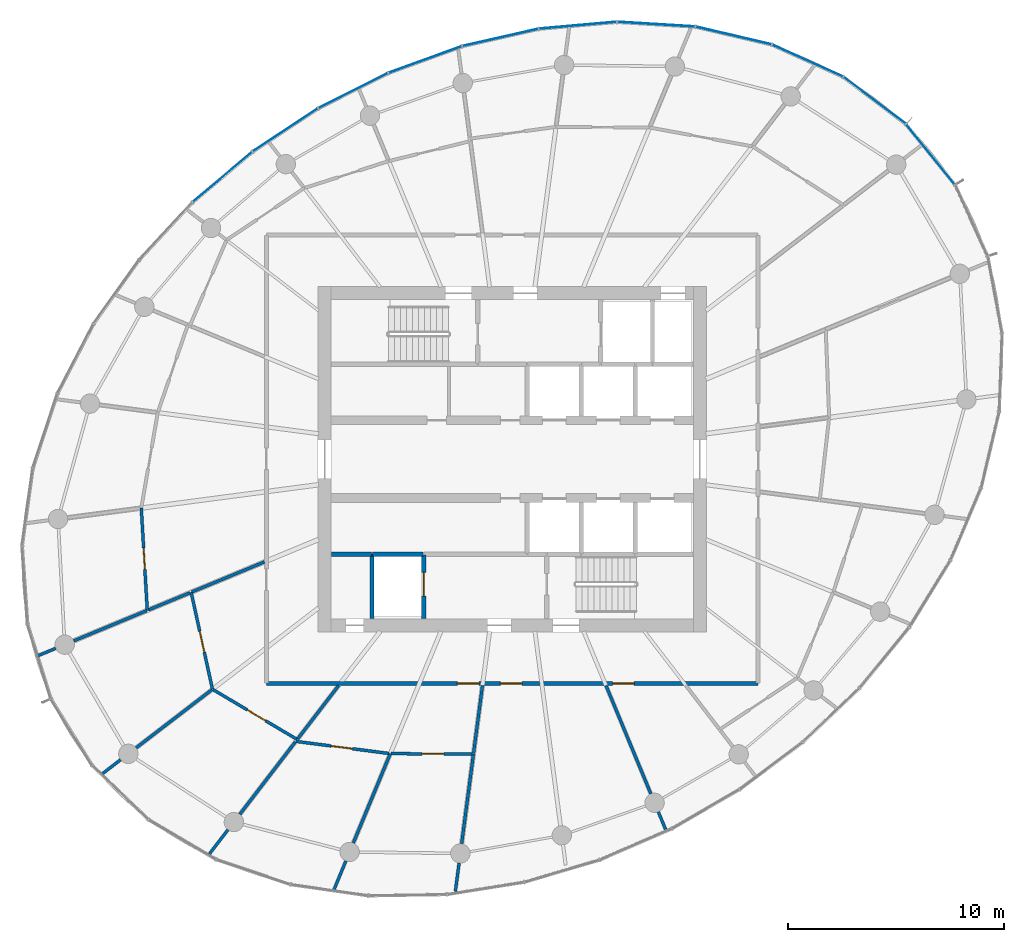
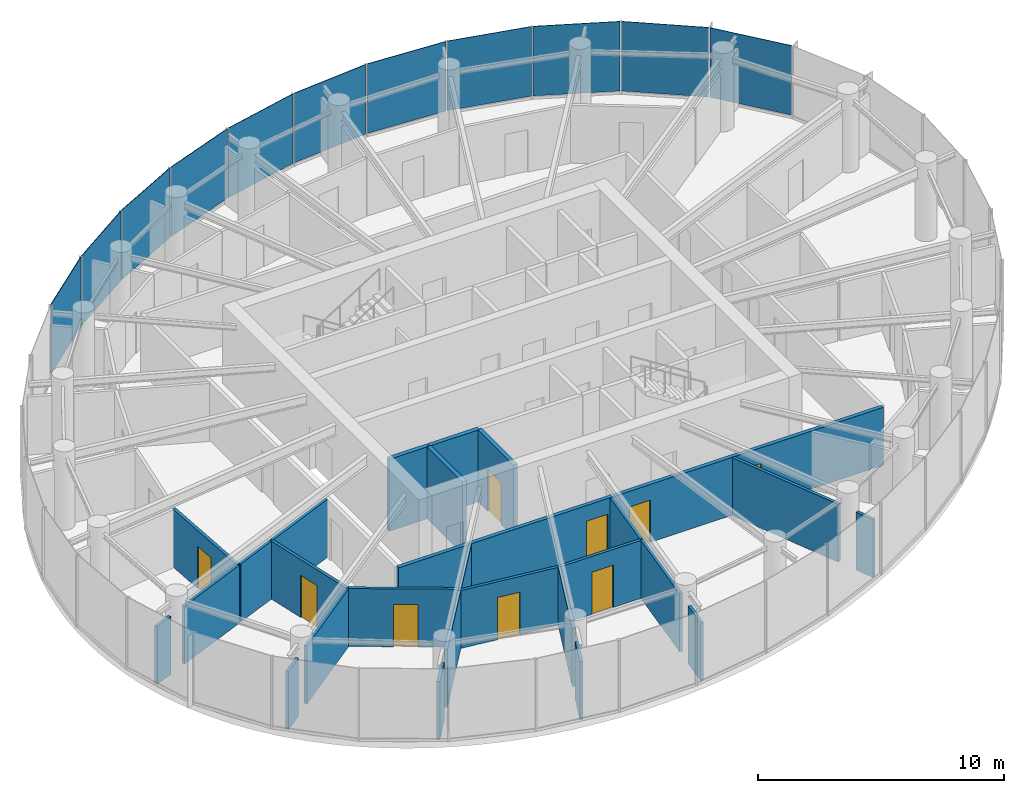
# One storey, part 9 of 15: 26 walls, 11 plates, 9 doors, 9 openings, 2 elements without a shape of their own.
"""IFC4 building model written with IfcOpenShell, lengths in metres."""

from ifc_helpers import new_model, si_unit, direction, frame, frame_2d, origin, origin_2d, place, context, subcontext, project, spatial, rectangle, extrude, source, transform, mapped, material, layer, layer_set, type_object, element, fill, aggregate, save


model = new_model("IFC4")

# Units and contexts
model_context = context("Model", 3, precision=1e-05, world=origin(), true_north=direction((0.0, 1.0)))
body_context = subcontext(model_context, "Body", "Model", "MODEL_VIEW")
ifc_project = project(units=[si_unit("LENGTHUNIT", "METRE"), si_unit("AREAUNIT", "SQUARE_METRE"), si_unit("VOLUMEUNIT", "CUBIC_METRE"), si_unit("PLANEANGLEUNIT", "RADIAN"), si_unit("MASSUNIT", "GRAM", prefix="KILO")], contexts=[model_context])

# Site, building, storey
site_placement = place(None, origin())
site = spatial("IfcSite", under=ifc_project, at=site_placement, CompositionType="ELEMENT")
building_placement = place(site_placement, origin())
building = spatial("IfcBuilding", under=site, at=building_placement, Name="Spindrift Exchange Tower", CompositionType="ELEMENT")
storey_placement = place(building_placement, frame((0.0, 0.0, 199.39990234375)))
storey = spatial("IfcBuildingStorey", under=building, at=storey_placement, Name="L48", CompositionType="ELEMENT", Elevation=199.39990234375)

# Curtain wall, plates
ifc_material_1 = material(Name="Fritted laminated glass with bronze frame", Category="glass")
ifc_layer_1 = layer(ifc_material_1, 0.169921875)
ifc_layer_set_1 = layer_set([ifc_layer_1], Name="ZONE 4 BRONZE FRITTED WALL")
curtain_wall_type = type_object("IfcCurtainWallType", Name="ZONE 4 BRONZE FRITTED WALL", PredefinedType="NOTDEFINED", material=ifc_layer_set_1)
curtain_wall_1_placement = place(storey_placement, origin())
curtain_wall_1 = element("IfcCurtainWall", 1, at=curtain_wall_1_placement, inside=storey, type_object=curtain_wall_type, Name="L48 Zone 4 Bronze Fritted Wall run 2", PredefinedType="NOTDEFINED")
ifc_material_2 = material(Name="Bronze fritted laminated glass, open frit", Category="glass")
ifc_layer_2 = layer(ifc_material_2, 0.030029296875)
ifc_layer_set_2 = layer_set([ifc_layer_2], Name="ZONE 4 BRONZE FRITTED WALL PANEL OPEN FRIT 360")
plate_type_1 = type_object("IfcPlateType", Name="ZONE 4 BRONZE FRITTED WALL PANEL OPEN FRIT 360", PredefinedType="CURTAIN_PANEL", material=ifc_layer_set_2)
shared_shape_1 = source(origin(), body_context, "Body", "SweptSolid", [
    extrude(rectangle(XDim=3.57763671875, YDim=0.030029296875, at=origin_2d()), origin(), (0.0, 0.0, 1.0), 3.455078125),
])
plate_1_placement = place(storey_placement, frame((47.96240234375, 66.531005859375, 0.125), z_axis=(0.0, 0.0, 1.0), x_axis=(-0.940007404874, -0.341154039668, 0.0)))
plate_1 = element("IfcPlate", 2, at=plate_1_placement, type_object=plate_type_1, Name="L48 panel CW-4.8", PredefinedType="CURTAIN_PANEL", context=body_context, shape_type="MappedRepresentation", body=[
    mapped(shared_shape_1, transform((0.0, 0.0, 0.0), scale=1.0)),
])
plate_2_placement = place(storey_placement, frame((38.565185546875, 61.08837890625, 0.125), z_axis=(0.0, 0.0, 1.0), x_axis=(-0.764402893577, -0.6447388745, 0.0)))
plate_2 = element("IfcPlate", 3, at=plate_2_placement, type_object=plate_type_1, Name="L48 panel CW-4.11", PredefinedType="CURTAIN_PANEL", context=body_context, shape_type="MappedRepresentation", body=[
    mapped(shared_shape_1, transform((0.0, 0.0, 0.0), scale=1.0)),
])
ifc_layer_3 = layer(ifc_material_2, 0.030029296875)
ifc_layer_set_3 = layer_set([ifc_layer_3], Name="ZONE 4 BRONZE FRITTED WALL PANEL OPEN FRIT 480")
plate_type_2 = type_object("IfcPlateType", Name="ZONE 4 BRONZE FRITTED WALL PANEL OPEN FRIT 480", PredefinedType="CURTAIN_PANEL", material=ifc_layer_set_3)
shared_shape_2 = source(origin(), body_context, "Body", "SweptSolid", [
    extrude(rectangle(XDim=3.577880859375, YDim=0.030029296875, at=origin_2d()), origin(), (0.0, 0.0, 1.0), 3.455078125),
])
plate_3_placement = place(storey_placement, frame((41.4775390625, 63.26611328125, 0.125), z_axis=(0.0, 0.0, 1.0), x_axis=(-0.834554710099, -0.55092507281, 0.0)))
plate_3 = element("IfcPlate", 4, at=plate_3_placement, type_object=plate_type_2, Name="L48 panel CW-4.10", PredefinedType="CURTAIN_PANEL", context=body_context, shape_type="MappedRepresentation", body=[
    mapped(shared_shape_2, transform((0.0, 0.0, 0.0), scale=1.0)),
])
ifc_layer_4 = layer(ifc_material_2, 0.030029296875)
ifc_layer_set_4 = layer_set([ifc_layer_4], Name="ZONE 4 BRONZE FRITTED WALL PANEL OPEN FRIT 600")
plate_type_3 = type_object("IfcPlateType", Name="ZONE 4 BRONZE FRITTED WALL PANEL OPEN FRIT 600", PredefinedType="CURTAIN_PANEL", material=ifc_layer_set_4)
shared_shape_3 = source(origin(), body_context, "Body", "SweptSolid", [
    extrude(rectangle(XDim=3.577880859375, YDim=0.030029296875, at=origin_2d()), origin(), (0.0, 0.0, 1.0), 3.455078125),
])
plate_4_placement = place(storey_placement, frame((44.6240234375, 65.089599609375, 0.125), z_axis=(0.0, 0.0, 1.0), x_axis=(-0.892901158654, -0.450252730003, 0.0)))
plate_4 = element("IfcPlate", 5, at=plate_4_placement, type_object=plate_type_3, Name="L48 panel CW-4.9", PredefinedType="CURTAIN_PANEL", context=body_context, shape_type="MappedRepresentation", body=[
    mapped(shared_shape_3, transform((0.0, 0.0, 0.0), scale=1.0)),
])

curtain_wall_2_placement = place(storey_placement, origin())
curtain_wall_2 = element("IfcCurtainWall", 6, at=curtain_wall_2_placement, inside=storey, type_object=curtain_wall_type, Name="L48 Zone 4 Bronze Fritted Wall run 1", PredefinedType="NOTDEFINED")
shared_shape_4 = source(origin(), body_context, "Body", "SweptSolid", [
    extrude(rectangle(XDim=3.571533203125, YDim=0.030029296875, at=origin_2d()), origin(), (0.0, 0.0, 1.0), 3.455078125),
])
plate_5_placement = place(storey_placement, frame((68.80029296875, 64.63720703125, 0.125), z_axis=(0.0, 0.0, 1.0), x_axis=(-0.798747885214, 0.601665867293, 0.0)))
plate_5 = element("IfcPlate", 7, at=plate_5_placement, type_object=plate_type_2, Name="L48 panel CW-4.2", PredefinedType="CURTAIN_PANEL", context=body_context, shape_type="MappedRepresentation", body=[
    mapped(shared_shape_4, transform((0.0, 0.0, 0.0), scale=1.0)),
])
shared_shape_5 = source(origin(), body_context, "Body", "SweptSolid", [
    extrude(rectangle(XDim=3.574951171875, YDim=0.030029296875, at=origin_2d()), origin(), (0.0, 0.0, 1.0), 3.455078125),
])
plate_6_placement = place(storey_placement, frame((62.260498046875, 67.64404296875, 0.125), z_axis=(0.0, 0.0, 1.0), x_axis=(-0.973634670452, 0.228112973093, 0.0)))
plate_6 = element("IfcPlate", 8, at=plate_6_placement, type_object=plate_type_1, Name="L48 panel CW-4.4", PredefinedType="CURTAIN_PANEL", context=body_context, shape_type="MappedRepresentation", body=[
    mapped(shared_shape_5, transform((0.0, 0.0, 0.0), scale=1.0)),
])

# Plate
shared_shape_6 = source(origin(), body_context, "Body", "SweptSolid", [
    extrude(rectangle(XDim=3.577392578125, YDim=0.030029296875, at=origin_2d()), origin(), (0.0, 0.0, 1.0), 3.455078125),
])
plate_7_placement = place(storey_placement, frame((51.450439453125, 67.555908203125, 0.125), z_axis=(0.0, 0.0, 1.0), x_axis=(-0.975172935958, -0.221444677006, 0.0)))
plate_7 = element("IfcPlate", 9, at=plate_7_placement, type_object=plate_type_1, Name="L48 panel CW-4.7", PredefinedType="CURTAIN_PANEL", context=body_context, shape_type="MappedRepresentation", body=[
    mapped(shared_shape_6, transform((0.0, 0.0, 0.0), scale=1.0)),
])

aggregate(curtain_wall_1, [plate_7, plate_1, plate_4, plate_3, plate_2])

shared_shape_7 = source(origin(), body_context, "Body", "SweptSolid", [
    extrude(rectangle(XDim=3.576904296875, YDim=0.030029296875, at=origin_2d()), origin(), (0.0, 0.0, 1.0), 3.455078125),
])
plate_8_placement = place(storey_placement, frame((55.040283203125, 68.1201171875, 0.125), z_axis=(0.0, 0.0, 1.0), x_axis=(-0.996088399201, -0.088362327814, 0.0)))
plate_8 = element("IfcPlate", 10, at=plate_8_placement, type_object=plate_type_2, Name="L48 panel CW-4.6", PredefinedType="CURTAIN_PANEL", context=body_context, shape_type="MappedRepresentation", body=[
    mapped(shared_shape_7, transform((0.0, 0.0, 0.0), scale=1.0)),
])

shared_shape_8 = source(origin(), body_context, "Body", "SweptSolid", [
    extrude(rectangle(XDim=3.5703125, YDim=0.030029296875, at=origin_2d()), origin(), (0.0, 0.0, 1.0), 3.455078125),
])
plate_9_placement = place(storey_placement, frame((71.397216796875, 62.131103515625, 0.125), z_axis=(0.0, 0.0, 1.0), x_axis=(-0.629607899587, 0.776913053551, 0.0)))
plate_9 = element("IfcPlate", 11, at=plate_9_placement, type_object=plate_type_2, Name="L48 panel CW-4.1", PredefinedType="CURTAIN_PANEL", context=body_context, shape_type="MappedRepresentation", body=[
    mapped(shared_shape_8, transform((0.0, 0.0, 0.0), scale=1.0)),
])

shared_shape_9 = source(origin(), body_context, "Body", "SweptSolid", [
    extrude(rectangle(XDim=3.575927734375, YDim=0.030029296875, at=origin_2d()), origin(), (0.0, 0.0, 1.0), 3.455078125),
])
plate_10_placement = place(storey_placement, frame((58.67138671875, 68.170166015625, 0.125), z_axis=(0.0, 0.0, 1.0), x_axis=(-0.998146181845, 0.060862136568, 0.0)))
plate_10 = element("IfcPlate", 12, at=plate_10_placement, type_object=plate_type_3, Name="L48 panel CW-4.5", PredefinedType="CURTAIN_PANEL", context=body_context, shape_type="MappedRepresentation", body=[
    mapped(shared_shape_9, transform((0.0, 0.0, 0.0), scale=1.0)),
])

shared_shape_10 = source(origin(), body_context, "Body", "SweptSolid", [
    extrude(rectangle(XDim=3.573486328125, YDim=0.030029296875, at=origin_2d()), origin(), (0.0, 0.0, 1.0), 3.455078125),
])
plate_11_placement = place(storey_placement, frame((65.690185546875, 66.480224609375, 0.125), z_axis=(0.0, 0.0, 1.0), x_axis=(-0.911345809508, 0.411641610497, 0.0)))
plate_11 = element("IfcPlate", 13, at=plate_11_placement, type_object=plate_type_1, Name="L48 panel CW-4.3", PredefinedType="CURTAIN_PANEL", context=body_context, shape_type="MappedRepresentation", body=[
    mapped(shared_shape_10, transform((0.0, 0.0, 0.0), scale=1.0)),
])

aggregate(curtain_wall_2, [plate_9, plate_5, plate_11, plate_6, plate_10, plate_8])

# Wall, openings, doors
ifc_material_3 = material(Name="Fire-rated plasterboard partition", Category="gypsum")
ifc_layer_5 = layer(ifc_material_3, 0.179931640625)
ifc_layer_set_5 = layer_set([ifc_layer_5], Name="W-CORR-180")
wall_type_1 = type_object("IfcWallType", Name="W-CORR-180", PredefinedType="PARTITIONING", material=ifc_layer_set_5)
wall_1_placement = place(storey_placement, frame((63.39990234375, 37.60009765625, 0.0), z_axis=(0.0, 0.0, 1.0), x_axis=(-1.0, 0.0, 0.0)))
wall_1 = element("IfcWall", 14, at=wall_1_placement, inside=storey, type_object=wall_type_1, Name="L48 Partition wall 28", PredefinedType="PARTITIONING", context=body_context, shape_type="SweptSolid", body=[
    extrude(rectangle(XDim=22.7998046875, YDim=0.179931640625, at=frame_2d((11.39990234375, 0.0))), origin(), (0.0, 0.0, 1.0), 2.880126953125),
])
opening_1_placement = place(wall_1_placement, frame((12.949951171875, 0.0, 0.0)))
opening_1 = element("IfcOpeningElement", 15, at=opening_1_placement, cuts=wall_1, Name="Opening L48-D40", PredefinedType="OPENING", context=body_context, shape_type="SweptSolid", body=[
    extrude(rectangle(XDim=1.0, YDim=2.10009765625, at=frame_2d((0.5, 1.050048828125))), frame((0.0, 0.099853515625, 0.0), z_axis=(0.0, -1.0, 0.0), x_axis=(1.0, 0.0, 0.0)), (0.0, 0.0, 1.0), 0.199951171875),
])
opening_2_placement = place(wall_1_placement, frame((10.949951171875, 0.0, 0.0)))
opening_2 = element("IfcOpeningElement", 16, at=opening_2_placement, cuts=wall_1, Name="Opening L48-D43", PredefinedType="OPENING", context=body_context, shape_type="SweptSolid", body=[
    extrude(rectangle(XDim=1.0, YDim=2.10009765625, at=frame_2d((0.5, 1.050048828125))), frame((0.0, 0.099853515625, 0.0), z_axis=(0.0, -1.0, 0.0), x_axis=(1.0, 0.0, 0.0)), (0.0, 0.0, 1.0), 0.199951171875),
])
opening_3_placement = place(wall_1_placement, frame((5.75, 0.0, 0.0)))
opening_3 = element("IfcOpeningElement", 17, at=opening_3_placement, cuts=wall_1, Name="Opening L48-D44", PredefinedType="OPENING", context=body_context, shape_type="SweptSolid", body=[
    extrude(rectangle(XDim=1.0, YDim=2.10009765625, at=frame_2d((0.5, 1.050048828125))), frame((0.0, 0.099853515625, 0.0), z_axis=(0.0, -1.0, 0.0), x_axis=(1.0, 0.0, 0.0)), (0.0, 0.0, 1.0), 0.199951171875),
])
ifc_material_4 = material(Name="Timber-core fire door", Category="wood")
door_type_1 = type_object("IfcDoorType", Name="DR-ROOM-1000", OperationType="NOTDEFINED", PredefinedType="DOOR", material=ifc_material_4)
shared_shape_11 = source(origin(), body_context, "Body", "SweptSolid", [
    extrude(rectangle(XDim=1.0, YDim=2.10009765625, at=frame_2d((0.5, 1.050048828125))), frame((0.0, 0.02490234375, 0.0), z_axis=(0.0, -1.0, 0.0), x_axis=(1.0, 0.0, 0.0)), (0.0, 0.0, 1.0), 0.050048828125),
])
door_1_placement = place(opening_1_placement, origin())
door_1 = element("IfcDoor", 18, at=door_1_placement, inside=storey, type_object=door_type_1, Name="L48 Door 40", OperationType="SINGLE_SWING_RIGHT", OverallHeight=2.10009765625, OverallWidth=1.0, PredefinedType="DOOR", context=body_context, shape_type="MappedRepresentation", body=[
    mapped(shared_shape_11, transform((0.0, 0.0, 0.0), scale=1.0)),
])
fill(opening_1, door_1)
door_2_placement = place(opening_2_placement, origin())
door_2 = element("IfcDoor", 19, at=door_2_placement, inside=storey, type_object=door_type_1, Name="L48 Door 43", OperationType="SINGLE_SWING_LEFT", OverallHeight=2.10009765625, OverallWidth=1.0, PredefinedType="DOOR", context=body_context, shape_type="MappedRepresentation", body=[
    mapped(shared_shape_11, transform((0.0, 0.0, 0.0), scale=1.0)),
])
fill(opening_2, door_2)
door_3_placement = place(opening_3_placement, origin())
door_3 = element("IfcDoor", 20, at=door_3_placement, inside=storey, type_object=door_type_1, Name="L48 Door 44", OperationType="SINGLE_SWING_RIGHT", OverallHeight=2.10009765625, OverallWidth=1.0, PredefinedType="DOOR", context=body_context, shape_type="MappedRepresentation", body=[
    mapped(shared_shape_11, transform((0.0, 0.0, 0.0), scale=1.0)),
])
fill(opening_3, door_3)

# Wall
ifc_layer_6 = layer(ifc_material_3, 0.139892578125)
ifc_layer_set_6 = layer_set([ifc_layer_6], Name="W-PART-140")
wall_type_2 = type_object("IfcWallType", Name="W-PART-140", PredefinedType="PARTITIONING", material=ifc_layer_set_6)
wall_2_placement = place(storey_placement, frame((56.34521484375, 37.510009765625, 0.0), z_axis=(0.0, 0.0, 1.0), x_axis=(0.382655972885, -0.923890906122, 0.0)))
element("IfcWall", 21, at=wall_2_placement, inside=storey, type_object=wall_type_2, Name="L48 Partition wall 32", PredefinedType="PARTITIONING", context=body_context, shape_type="SweptSolid", body=[
    extrude(rectangle(XDim=5.4345703125, YDim=0.139892578125, at=frame_2d((2.71728515625, 0.0))), origin(), (0.0, 0.0, 1.0), 2.880126953125),
])

# Wall, opening, door
wall_3_placement = place(storey_placement, frame((35.076904296875, 40.990234375, 0.0), z_axis=(0.0, 0.0, 1.0), x_axis=(-0.058604596276, 0.998281273638, 0.0)))
wall_3 = element("IfcWall", 22, at=wall_3_placement, inside=storey, type_object=wall_type_2, Name="L48 Partition wall 36", PredefinedType="PARTITIONING", context=body_context, shape_type="SweptSolid", body=[
    extrude(rectangle(XDim=4.753173828125, YDim=0.139892578125, at=frame_2d((2.37646484375, 0.0))), origin(), (0.0, 0.0, 1.0), 2.880126953125),
])
opening_4_placement = place(wall_3_placement, frame((1.9033203125, 0.0, 0.0)))
opening_4 = element("IfcOpeningElement", 23, at=opening_4_placement, cuts=wall_3, Name="Opening L48-D36", PredefinedType="OPENING", context=body_context, shape_type="SweptSolid", body=[
    extrude(rectangle(XDim=1.0, YDim=2.10009765625, at=frame_2d((0.5, 1.050048828125))), frame((0.0, 0.079833984375, 0.0), z_axis=(0.0, -1.0, 0.0), x_axis=(1.0, 0.0, 0.0)), (0.0, 0.0, 1.0), 0.159912109375),
])
door_4_placement = place(opening_4_placement, origin())
door_4 = element("IfcDoor", 24, at=door_4_placement, inside=storey, type_object=door_type_1, Name="L48 Door 36", OperationType="SINGLE_SWING_RIGHT", OverallHeight=2.10009765625, OverallWidth=1.0, PredefinedType="DOOR", context=body_context, shape_type="MappedRepresentation", body=[
    mapped(shared_shape_11, transform((0.0, 0.0, 0.0), scale=1.0)),
])
fill(opening_4, door_4)

wall_4_placement = place(storey_placement, frame((38.098876953125, 37.333251953125, 0.0), z_axis=(0.0, 0.0, 1.0), x_axis=(-0.214477585578, 0.976728910847, 0.0)))
wall_4 = element("IfcWall", 25, at=wall_4_placement, inside=storey, type_object=wall_type_2, Name="L48 Partition wall 37", PredefinedType="PARTITIONING", context=body_context, shape_type="SweptSolid", body=[
    extrude(rectangle(XDim=4.606689453125, YDim=0.139892578125, at=frame_2d((2.30322265625, 0.0))), origin(), (0.0, 0.0, 1.0), 2.880126953125),
])
opening_5_placement = place(wall_4_placement, frame((1.756591796875, 0.0, 0.0)))
opening_5 = element("IfcOpeningElement", 26, at=opening_5_placement, cuts=wall_4, Name="Opening L48-D38", PredefinedType="OPENING", context=body_context, shape_type="SweptSolid", body=[
    extrude(rectangle(XDim=1.0, YDim=2.10009765625, at=frame_2d((0.5, 1.050048828125))), frame((0.0, 0.079833984375, 0.0), z_axis=(0.0, -1.0, 0.0), x_axis=(1.0, 0.0, 0.0)), (0.0, 0.0, 1.0), 0.159912109375),
])
door_5_placement = place(opening_5_placement, origin())
door_5 = element("IfcDoor", 27, at=door_5_placement, inside=storey, type_object=door_type_1, Name="L48 Door 38", OperationType="SINGLE_SWING_RIGHT", OverallHeight=2.10009765625, OverallWidth=1.0, PredefinedType="DOOR", context=body_context, shape_type="MappedRepresentation", body=[
    mapped(shared_shape_11, transform((0.0, 0.0, 0.0), scale=1.0)),
])
fill(opening_5, door_5)

wall_5_placement = place(storey_placement, frame((42.028564453125, 35.005126953125, 0.0), z_axis=(0.0, 0.0, 1.0), x_axis=(-0.860328238393, 0.509740445937, 0.0)))
wall_5 = element("IfcWall", 28, at=wall_5_placement, inside=storey, type_object=wall_type_2, Name="L48 Partition wall 38", PredefinedType="PARTITIONING", context=body_context, shape_type="SweptSolid", body=[
    extrude(rectangle(XDim=4.53759765625, YDim=0.139892578125, at=frame_2d((2.268798828125, 0.0))), origin(), (0.0, 0.0, 1.0), 2.880126953125),
])
opening_6_placement = place(wall_5_placement, frame((1.687744140625, 0.0, 0.0)))
opening_6 = element("IfcOpeningElement", 29, at=opening_6_placement, cuts=wall_5, Name="Opening L48-D39", PredefinedType="OPENING", context=body_context, shape_type="SweptSolid", body=[
    extrude(rectangle(XDim=1.0, YDim=2.10009765625, at=frame_2d((0.5, 1.050048828125))), frame((0.0, 0.079833984375, 0.0), z_axis=(0.0, -1.0, 0.0), x_axis=(1.0, 0.0, 0.0)), (0.0, 0.0, 1.0), 0.159912109375),
])
door_6_placement = place(opening_6_placement, origin())
door_6 = element("IfcDoor", 30, at=door_6_placement, inside=storey, type_object=door_type_1, Name="L48 Door 39", OperationType="SINGLE_SWING_LEFT", OverallHeight=2.10009765625, OverallWidth=1.0, PredefinedType="DOOR", context=body_context, shape_type="MappedRepresentation", body=[
    mapped(shared_shape_11, transform((0.0, 0.0, 0.0), scale=1.0)),
])
fill(opening_6, door_6)

# Walls
wall_6_placement = place(storey_placement, frame((46.34521484375, 34.34814453125, 0.0), z_axis=(0.0, 0.0, 1.0), x_axis=(-0.382698450862, -0.923873311503, 0.0)))
element("IfcWall", 31, at=wall_6_placement, inside=storey, type_object=wall_type_2, Name="L48 Partition wall 40", PredefinedType="PARTITIONING", context=body_context, shape_type="SweptSolid", body=[
    extrude(rectangle(XDim=4.478271484375, YDim=0.139892578125, at=frame_2d((2.2392578125, 0.0))), origin(), (0.0, 0.0, 1.0), 2.880126953125),
])
wall_7_placement = place(storey_placement, frame((38.0751953125, 37.31494140625, 0.0), z_axis=(0.0, 0.0, 1.0), x_axis=(-0.793368713958, -0.608741393132, 0.0)))
element("IfcWall", 32, at=wall_7_placement, inside=storey, type_object=wall_type_2, Name="L48 Partition wall 41", PredefinedType="PARTITIONING", context=body_context, shape_type="SweptSolid", body=[
    extrude(rectangle(XDim=4.432373046875, YDim=0.139892578125, at=frame_2d((2.21630859375, 0.0))), origin(), (0.0, 0.0, 1.0), 2.880126953125),
])

# Wall, opening, door
wall_8_placement = place(storey_placement, frame((46.273193359375, 34.357421875, 0.0), z_axis=(0.0, 0.0, 1.0), x_axis=(-0.991661359213, 0.128871054326, 0.0)))
wall_8 = element("IfcWall", 33, at=wall_8_placement, inside=storey, type_object=wall_type_2, Name="L48 Partition wall 42", PredefinedType="PARTITIONING", context=body_context, shape_type="SweptSolid", body=[
    extrude(rectangle(XDim=4.34765625, YDim=0.139892578125, at=frame_2d((2.173828125, 0.0))), origin(), (0.0, 0.0, 1.0), 2.880126953125),
])
opening_7_placement = place(wall_8_placement, frame((1.697998046875, 0.0, 0.0)))
opening_7 = element("IfcOpeningElement", 34, at=opening_7_placement, cuts=wall_8, Name="Opening L48-D41", PredefinedType="OPENING", context=body_context, shape_type="SweptSolid", body=[
    extrude(rectangle(XDim=1.0, YDim=2.10009765625, at=frame_2d((0.5, 1.050048828125))), frame((0.0, 0.079833984375, 0.0), z_axis=(0.0, -1.0, 0.0), x_axis=(1.0, 0.0, 0.0)), (0.0, 0.0, 1.0), 0.159912109375),
])
door_7_placement = place(opening_7_placement, origin())
door_7 = element("IfcDoor", 35, at=door_7_placement, inside=storey, type_object=door_type_1, Name="L48 Door 41", OperationType="SINGLE_SWING_LEFT", OverallHeight=2.10009765625, OverallWidth=1.0, PredefinedType="DOOR", context=body_context, shape_type="MappedRepresentation", body=[
    mapped(shared_shape_11, transform((0.0, 0.0, 0.0), scale=1.0)),
])
fill(opening_7, door_7)

# Walls
wall_9_placement = place(storey_placement, frame((41.943603515625, 34.89404296875, 0.0), z_axis=(0.0, 0.0, 1.0), x_axis=(-0.608790069617, -0.793331362758, 0.0)))
element("IfcWall", 36, at=wall_9_placement, inside=storey, type_object=wall_type_2, Name="L48 Partition wall 50", PredefinedType="PARTITIONING", context=body_context, shape_type="SweptSolid", body=[
    extrude(rectangle(XDim=4.230712890625, YDim=0.139892578125, at=frame_2d((2.115234375, 0.0))), origin(), (0.0, 0.0, 1.0), 2.880126953125),
])
wall_10_placement = place(storey_placement, frame((50.2001953125, 34.32861328125, 0.0), z_axis=(0.0, 0.0, 1.0), x_axis=(-0.13056900495, -0.991439224031, 0.0)))
element("IfcWall", 37, at=wall_10_placement, inside=storey, type_object=wall_type_2, Name="L48 Partition wall 52", PredefinedType="PARTITIONING", context=body_context, shape_type="SweptSolid", body=[
    extrude(rectangle(XDim=4.192138671875, YDim=0.139892578125, at=frame_2d((2.09619140625, 0.0))), origin(), (0.0, 0.0, 1.0), 2.880126953125),
])

# Wall, opening, door
wall_11_placement = place(storey_placement, frame((50.129638671875, 34.3291015625, 0.0), z_axis=(0.0, 0.0, 1.0), x_axis=(-0.999987464445, 0.005007090308, 0.0)))
wall_11 = element("IfcWall", 38, at=wall_11_placement, inside=storey, type_object=wall_type_2, Name="L48 Partition wall 57", PredefinedType="PARTITIONING", context=body_context, shape_type="SweptSolid", body=[
    extrude(rectangle(XDim=3.75439453125, YDim=0.139892578125, at=frame_2d((1.877197265625, 0.0))), origin(), (0.0, 0.0, 1.0), 2.880126953125),
])
opening_8_placement = place(wall_11_placement, frame((1.304443359375, 0.0, 0.0)))
opening_8 = element("IfcOpeningElement", 39, at=opening_8_placement, cuts=wall_11, Name="Opening L48-D42", PredefinedType="OPENING", context=body_context, shape_type="SweptSolid", body=[
    extrude(rectangle(XDim=1.0, YDim=2.10009765625, at=frame_2d((0.5, 1.050048828125))), frame((0.0, 0.079833984375, 0.0), z_axis=(0.0, -1.0, 0.0), x_axis=(1.0, 0.0, 0.0)), (0.0, 0.0, 1.0), 0.159912109375),
])
door_8_placement = place(opening_8_placement, origin())
door_8 = element("IfcDoor", 40, at=door_8_placement, inside=storey, type_object=door_type_1, Name="L48 Door 42", OperationType="SINGLE_SWING_RIGHT", OverallHeight=2.10009765625, OverallWidth=1.0, PredefinedType="DOOR", context=body_context, shape_type="MappedRepresentation", body=[
    mapped(shared_shape_11, transform((0.0, 0.0, 0.0), scale=1.0)),
])
fill(opening_8, door_8)

# Walls
wall_12_placement = place(storey_placement, frame((40.510009765625, 43.24072265625, 0.0), z_axis=(0.0, 0.0, 1.0), x_axis=(-0.923876577678, -0.382690565886, 0.0)))
element("IfcWall", 41, at=wall_12_placement, inside=storey, type_object=wall_type_2, Name="L48 Partition wall 60", PredefinedType="PARTITIONING", context=body_context, shape_type="SweptSolid", body=[
    extrude(rectangle(XDim=3.649169921875, YDim=0.139892578125, at=frame_2d((1.82470703125, 0.0))), origin(), (0.0, 0.0, 1.0), 2.880126953125),
])
wall_13_placement = place(storey_placement, frame((35.04931640625, 40.978759765625, 0.0), z_axis=(0.0, 0.0, 1.0), x_axis=(-0.923881901713, -0.382677712555, 0.0)))
element("IfcWall", 42, at=wall_13_placement, inside=storey, type_object=wall_type_2, Name="L48 Partition wall 61", PredefinedType="PARTITIONING", context=body_context, shape_type="SweptSolid", body=[
    extrude(rectangle(XDim=3.66064453125, YDim=0.139892578125, at=frame_2d((1.830322265625, 0.0))), origin(), (0.0, 0.0, 1.0), 2.880126953125),
])
wall_14_placement = place(storey_placement, frame((50.618896484375, 37.510009765625, 0.0), z_axis=(0.0, 0.0, 1.0), x_axis=(-0.130488286991, -0.991449850955, 0.0)))
element("IfcWall", 43, at=wall_14_placement, inside=storey, type_object=wall_type_2, Name="L48 Partition wall 64", PredefinedType="PARTITIONING", context=body_context, shape_type="SweptSolid", body=[
    extrude(rectangle(XDim=3.1787109375, YDim=0.139892578125, at=frame_2d((1.58935546875, 0.0))), origin(), (0.0, 0.0, 1.0), 2.880126953125),
])
wall_15_placement = place(storey_placement, frame((43.95068359375, 37.510009765625, 0.0), z_axis=(0.0, 0.0, 1.0), x_axis=(-0.60874451787, -0.793366316378, 0.0)))
element("IfcWall", 44, at=wall_15_placement, inside=storey, type_object=wall_type_2, Name="L48 Partition wall 65", PredefinedType="PARTITIONING", context=body_context, shape_type="SweptSolid", body=[
    extrude(rectangle(XDim=3.12744140625, YDim=0.139892578125, at=frame_2d((1.563720703125, 0.0))), origin(), (0.0, 0.0, 1.0), 2.880126953125),
])
wall_16_placement = place(storey_placement, frame((37.045166015625, 41.805419921875, 0.0), z_axis=(0.0, 0.0, 1.0), x_axis=(-0.92387935321, -0.382683865235, 0.0)))
element("IfcWall", 45, at=wall_16_placement, inside=storey, type_object=wall_type_2, Name="L48 Partition wall 75", PredefinedType="PARTITIONING", context=body_context, shape_type="SweptSolid", body=[
    extrude(rectangle(XDim=2.05615234375, YDim=0.139892578125, at=frame_2d((1.028076171875, 0.0))), origin(), (0.0, 0.0, 1.0), 2.880126953125),
])
wall_17_placement = place(storey_placement, frame((44.283203125, 29.369873046875, 0.0), z_axis=(0.0, 0.0, 1.0), x_axis=(-0.382652525483, -0.923892333955, 0.0)))
element("IfcWall", 46, at=wall_17_placement, inside=storey, type_object=wall_type_2, Name="L48 Partition wall 82", PredefinedType="PARTITIONING", context=body_context, shape_type="SweptSolid", body=[
    extrude(rectangle(XDim=1.457763671875, YDim=0.139892578125, at=frame_2d((0.72900390625, 0.0))), origin(), (0.0, 0.0, 1.0), 2.880126953125),
])
wall_18_placement = place(storey_placement, frame((38.814453125, 30.81640625, 0.0), z_axis=(0.0, 0.0, 1.0), x_axis=(-0.608686646562, -0.793410717281, 0.0)))
element("IfcWall", 47, at=wall_18_placement, inside=storey, type_object=wall_type_2, Name="L48 Partition wall 83", PredefinedType="PARTITIONING", context=body_context, shape_type="SweptSolid", body=[
    extrude(rectangle(XDim=1.40625, YDim=0.139892578125, at=frame_2d((0.703125, 0.0))), origin(), (0.0, 0.0, 1.0), 2.880126953125),
])
wall_19_placement = place(storey_placement, frame((49.5341796875, 29.27099609375, 0.0), z_axis=(0.0, 0.0, 1.0), x_axis=(-0.13056005306, -0.991440402921, 0.0)))
element("IfcWall", 48, at=wall_19_placement, inside=storey, type_object=wall_type_2, Name="L48 Partition wall 85", PredefinedType="PARTITIONING", context=body_context, shape_type="SweptSolid", body=[
    extrude(rectangle(XDim=1.31640625, YDim=0.139892578125, at=frame_2d((0.658203125, 0.0))), origin(), (0.0, 0.0, 1.0), 2.880126953125),
])
wall_20_placement = place(storey_placement, frame((33.83740234375, 34.063232421875, 0.0), z_axis=(0.0, 0.0, 1.0), x_axis=(-0.793452471415, -0.608632217029, 0.0)))
element("IfcWall", 49, at=wall_20_placement, inside=storey, type_object=wall_type_2, Name="L48 Partition wall 88", PredefinedType="PARTITIONING", context=body_context, shape_type="SweptSolid", body=[
    extrude(rectangle(XDim=1.072509765625, YDim=0.139892578125, at=frame_2d((0.5361328125, 0.0))), origin(), (0.0, 0.0, 1.0), 2.880126953125),
])
wall_21_placement = place(storey_placement, frame((30.826416015625, 39.229736328125, 0.0), z_axis=(0.0, 0.0, 1.0), x_axis=(-0.923854619105, -0.382743573112, 0.0)))
element("IfcWall", 50, at=wall_21_placement, inside=storey, type_object=wall_type_2, Name="L48 Partition wall 98", PredefinedType="PARTITIONING", context=body_context, shape_type="SweptSolid", body=[
    extrude(rectangle(XDim=0.917236328125, YDim=0.139892578125, at=frame_2d((0.45849609375, 0.0))), origin(), (0.0, 0.0, 1.0), 2.880126953125),
])
wall_22_placement = place(storey_placement, frame((58.773193359375, 31.648193359375, 0.0), z_axis=(0.0, 0.0, 1.0), x_axis=(0.382672260774, -0.923884159857, 0.0)))
element("IfcWall", 51, at=wall_22_placement, inside=storey, type_object=wall_type_2, Name="L48 Partition wall 102", PredefinedType="PARTITIONING", context=body_context, shape_type="SweptSolid", body=[
    extrude(rectangle(XDim=0.874755859375, YDim=0.139892578125, at=frame_2d((0.4375, 0.0))), origin(), (0.0, 0.0, 1.0), 2.880126953125),
])
ifc_material_5 = material(Name="Concrete 40 MPa", Category="concrete")
ifc_layer_7 = layer(ifc_material_5, 0.199951171875)
ifc_layer_set_7 = layer_set([ifc_layer_7], Name="W-SHAFT-200")
wall_type_3 = type_object("IfcWallType", Name="W-SHAFT-200", PredefinedType="SOLIDWALL", material=ifc_layer_set_7)
wall_23_placement = place(storey_placement, frame((45.5, 43.60009765625, 0.0), z_axis=(0.0, 0.0, 1.0), x_axis=(0.0, -1.0, 0.0)))
element("IfcWall", 52, at=wall_23_placement, inside=storey, type_object=wall_type_3, Name="L48 Shaft wall 3", PredefinedType="SOLIDWALL", context=body_context, shape_type="SweptSolid", body=[
    extrude(rectangle(XDim=2.97998046875, YDim=0.199951171875, at=frame_2d((1.489990234375, 0.0))), origin(), (0.0, 0.0, 1.0), 3.580078125),
])

# Wall, opening, door
wall_24_placement = place(storey_placement, frame((47.89990234375, 40.6201171875, 0.0), z_axis=(0.0, 0.0, 1.0), x_axis=(0.0, 1.0, 0.0)))
wall_24 = element("IfcWall", 53, at=wall_24_placement, inside=storey, type_object=wall_type_3, Name="L48 Shaft wall 4", PredefinedType="SOLIDWALL", context=body_context, shape_type="SweptSolid", body=[
    extrude(rectangle(XDim=2.949951171875, YDim=0.199951171875, at=frame_2d((1.47509765625, 0.0))), origin(), (0.0, 0.0, 1.0), 3.580078125),
])
opening_9_placement = place(wall_24_placement, frame((1.030029296875, 0.0, 0.0)))
opening_9 = element("IfcOpeningElement", 54, at=opening_9_placement, cuts=wall_24, Name="Opening L48-D10", PredefinedType="OPENING", context=body_context, shape_type="SweptSolid", body=[
    extrude(rectangle(XDim=1.10009765625, YDim=2.10009765625, at=frame_2d((0.550048828125, 1.050048828125))), frame((0.0, 0.10986328125, 0.0), z_axis=(0.0, -1.0, 0.0), x_axis=(1.0, 0.0, 0.0)), (0.0, 0.0, 1.0), 0.219970703125),
])
ifc_material_6 = material(Name="Stainless steel landing door", Category="steel")
door_type_2 = type_object("IfcDoorType", Name="DR-LANDING-1100-SL", OperationType="DOUBLE_DOOR_SLIDING", PredefinedType="USERDEFINED", material=ifc_material_6)
shared_shape_12 = source(origin(), body_context, "Body", "SweptSolid", [
    extrude(rectangle(XDim=1.10009765625, YDim=2.10009765625, at=frame_2d((0.550048828125, 1.050048828125))), frame((0.0, 0.02490234375, 0.0), z_axis=(0.0, -1.0, 0.0), x_axis=(1.0, 0.0, 0.0)), (0.0, 0.0, 1.0), 0.050048828125),
])
door_9_placement = place(opening_9_placement, origin())
door_9 = element("IfcDoor", 55, at=door_9_placement, inside=storey, type_object=door_type_2, Name="L48 Lift landing door 10", ObjectType="LANDING DOOR", OperationType="DOUBLE_DOOR_SLIDING", OverallHeight=2.10009765625, OverallWidth=1.10009765625, PredefinedType="USERDEFINED", context=body_context, shape_type="MappedRepresentation", body=[
    mapped(shared_shape_12, transform((0.0, 0.0, 0.0), scale=1.0)),
])
fill(opening_9, door_9)

# Walls
wall_25_placement = place(storey_placement, frame((47.8701171875, 43.60009765625, 0.0), z_axis=(0.0, 0.0, 1.0), x_axis=(-1.0, 0.0, 0.0)))
element("IfcWall", 56, at=wall_25_placement, inside=storey, type_object=wall_type_3, Name="L48 Shaft wall 12", PredefinedType="SOLIDWALL", context=body_context, shape_type="SweptSolid", body=[
    extrude(rectangle(XDim=2.340087890625, YDim=0.199951171875, at=frame_2d((1.169921875, 0.0))), origin(), (0.0, 0.0, 1.0), 3.580078125),
])
wall_26_placement = place(storey_placement, frame((45.469970703125, 43.60009765625, 0.0), z_axis=(0.0, 0.0, 1.0), x_axis=(-1.0, 0.0, 0.0)))
element("IfcWall", 57, at=wall_26_placement, inside=storey, type_object=wall_type_3, Name="L48 Shaft wall 20", PredefinedType="SOLIDWALL", context=body_context, shape_type="SweptSolid", body=[
    extrude(rectangle(XDim=1.849853515625, YDim=0.199951171875, at=frame_2d((0.9248046875, 0.0))), origin(), (0.0, 0.0, 1.0), 3.580078125),
])

save(model, "model.ifc")
